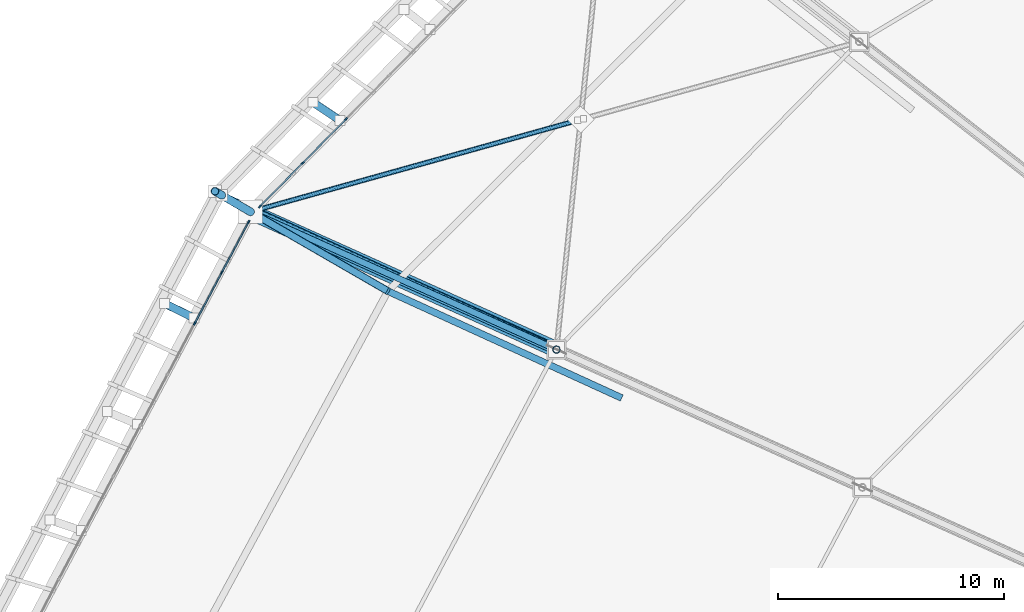
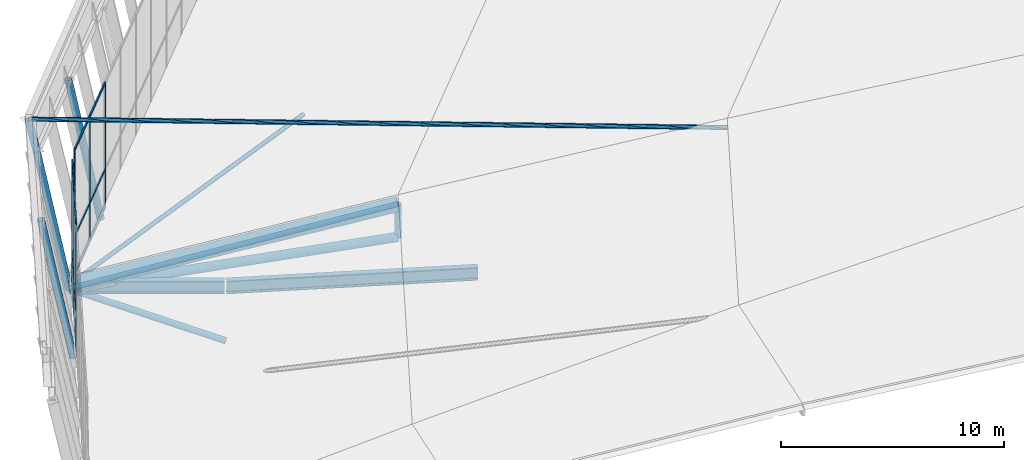
# One storey, part 28 of 115: 29 members, 2 beams, 2 elements without a shape of their own.
"""IFC4 building model written with IfcOpenShell, lengths in metres."""

from ifc_helpers import new_model, si_unit, direction, frame, origin, origin_2d, place, context, subcontext, project, spatial, rectangle, hollow_circle, i_section, extrude, material, material_profile, profile_set, type_object, element, aggregate, save


model = new_model("IFC4")

# Units and contexts
model_context = context("Model", 3, precision=1e-05, world=origin(), true_north=direction((0.0, 1.0)))
body_context = subcontext(model_context, "Body", "Model", "MODEL_VIEW")
ifc_project = project(units=[si_unit("LENGTHUNIT", "METRE"), si_unit("AREAUNIT", "SQUARE_METRE"), si_unit("VOLUMEUNIT", "CUBIC_METRE"), si_unit("PLANEANGLEUNIT", "RADIAN"), si_unit("MASSUNIT", "GRAM", prefix="KILO")], contexts=[model_context])

# Site, building, storey
site_placement = place(None, origin())
site = spatial("IfcSite", under=ifc_project, at=site_placement, CompositionType="ELEMENT")
building_placement = place(site_placement, origin())
building = spatial("IfcBuilding", under=site, at=building_placement, Name="Zlatoyarsky Gate Stadium", CompositionType="ELEMENT")
storey_placement = place(building_placement, frame((0.0, 0.0, 31.800048828125)))
storey = spatial("IfcBuildingStorey", under=building, at=storey_placement, Name="RF", CompositionType="ELEMENT", Elevation=31.800048828125)

# Curtain wall, members
ifc_material_1 = material(Name="Thermally broken anodised aluminium curtain wall", Category="aluminium")
curtain_wall_type = type_object("IfcCurtainWallType", Name="UNITISED SKYBOX RING GLAZING L05", PredefinedType="USERDEFINED", material=ifc_material_1)
curtain_wall_1_placement = place(storey_placement, origin())
curtain_wall_1 = element("IfcCurtainWall", 1, at=curtain_wall_1_placement, inside=storey, type_object=curtain_wall_type, Name="Curtain wall CW-RF-09", ObjectType="UNITISED GLAZING", PredefinedType="USERDEFINED")
ifc_material_2 = material(Name="Anodised aluminium 6063-T6", Category="aluminium")
ifc_material_profile_1 = material_profile(ifc_material_2, rectangle(XDim=0.06494140625, YDim=0.159912109375, at=origin_2d()), Name="ALU 65X160")
ifc_profile_set_1 = profile_set([ifc_material_profile_1], Name="Anodised aluminium 6063-T6")
member_type_1 = type_object("IfcMemberType", Name="ALUMINIUM MULLION 65X160", PredefinedType="MULLION", material=ifc_profile_set_1)
member_1_placement = place(storey_placement, frame((28.603515625, 123.119140625, 0.0), z_axis=(0.0, 0.0, 1.0), x_axis=(0.712766053473, -0.701401848456, 0.0)))
member_1 = element("IfcMember", 2, at=member_1_placement, type_object=member_type_1, Name="CW-UG5 mullion 7", PredefinedType="MULLION", context=body_context, shape_type="SweptSolid", body=[
    extrude(rectangle(XDim=0.06494140625, YDim=0.159912109375, at=origin_2d()), origin(), (0.0, 0.0, 1.0), 6.89990234375),
])
member_2_placement = place(storey_placement, frame((26.689453125, 121.174072265625, 0.0), z_axis=(0.0, 0.0, 1.0), x_axis=(0.712766053473, -0.701401848456, 0.0)))
member_2 = element("IfcMember", 3, at=member_2_placement, type_object=member_type_1, Name="CW-UG5 mullion 8", PredefinedType="MULLION", context=body_context, shape_type="SweptSolid", body=[
    extrude(rectangle(XDim=0.06494140625, YDim=0.159912109375, at=origin_2d()), origin(), (0.0, 0.0, 1.0), 6.89990234375),
])
member_3_placement = place(storey_placement, frame((24.798095703125, 119.251953125, 0.0), z_axis=(0.0, 0.0, 1.0), x_axis=(0.712766053473, -0.701401848456, 0.0)))
member_3 = element("IfcMember", 4, at=member_3_placement, type_object=member_type_1, Name="CW-UG5 mullion 9", PredefinedType="MULLION", context=body_context, shape_type="SweptSolid", body=[
    extrude(rectangle(XDim=0.06494140625, YDim=0.159912109375, at=origin_2d()), origin(), (0.0, 0.0, 1.0), 6.89990234375),
])

curtain_wall_2_placement = place(storey_placement, origin())
curtain_wall_2 = element("IfcCurtainWall", 5, at=curtain_wall_2_placement, inside=storey, type_object=curtain_wall_type, Name="Curtain wall CW-RF-10", ObjectType="UNITISED GLAZING", PredefinedType="USERDEFINED")
member_4_placement = place(storey_placement, frame((24.291748046875, 118.561767578125, 0.0), z_axis=(0.0, 0.0, 1.0), x_axis=(0.883130898599, -0.469126652345, 0.0)))
member_4 = element("IfcMember", 6, at=member_4_placement, type_object=member_type_1, Name="CW-UG5 mullion 1", PredefinedType="MULLION", context=body_context, shape_type="SweptSolid", body=[
    extrude(rectangle(XDim=0.06494140625, YDim=0.159912109375, at=origin_2d()), origin(), (0.0, 0.0, 1.0), 6.89990234375),
])
member_5_placement = place(storey_placement, frame((23.106689453125, 116.330810546875, 0.0), z_axis=(0.0, 0.0, 1.0), x_axis=(0.883130898599, -0.469126652345, 0.0)))
member_5 = element("IfcMember", 7, at=member_5_placement, type_object=member_type_1, Name="CW-UG5 mullion 2", PredefinedType="MULLION", context=body_context, shape_type="SweptSolid", body=[
    extrude(rectangle(XDim=0.06494140625, YDim=0.159912109375, at=origin_2d()), origin(), (0.0, 0.0, 1.0), 6.89990234375),
])
member_6_placement = place(storey_placement, frame((21.90625, 114.07080078125, 0.0), z_axis=(0.0, 0.0, 1.0), x_axis=(0.883130898599, -0.469126652345, 0.0)))
member_6 = element("IfcMember", 8, at=member_6_placement, type_object=member_type_1, Name="CW-UG5 mullion 3", PredefinedType="MULLION", context=body_context, shape_type="SweptSolid", body=[
    extrude(rectangle(XDim=0.06494140625, YDim=0.159912109375, at=origin_2d()), origin(), (0.0, 0.0, 1.0), 6.89990234375),
])

# Member
ifc_material_profile_2 = material_profile(ifc_material_2, rectangle(XDim=0.06494140625, YDim=0.139892578125, at=origin_2d()), Name="ALU 65X140")
ifc_profile_set_2 = profile_set([ifc_material_profile_2], Name="Anodised aluminium 6063-T6")
member_type_2 = type_object("IfcMemberType", Name="ALUMINIUM TRANSOM 65X140", PredefinedType="USERDEFINED", material=ifc_profile_set_2)
member_7_placement = place(storey_placement, frame((28.580810546875, 123.095947265625, 0.032470703125), z_axis=(-0.701401615361, -0.712766282851, 0.0), x_axis=(0.712766282851, -0.701401615361, 0.0)))
member_7 = element("IfcMember", 9, at=member_7_placement, type_object=member_type_2, Name="CW-UG5 transom 7.1", ObjectType="TRANSOM", PredefinedType="USERDEFINED", context=body_context, shape_type="SweptSolid", body=[
    extrude(rectangle(XDim=0.06494140625, YDim=0.139892578125, at=origin_2d()), origin(), (0.0, 0.0, 1.0), 2.663818359375),
])

member_8_placement = place(storey_placement, frame((28.580810546875, 123.095947265625, 2.14990234375), z_axis=(-0.701401615361, -0.712766282851, 0.0), x_axis=(0.712766282851, -0.701401615361, 0.0)))
member_8 = element("IfcMember", 10, at=member_8_placement, type_object=member_type_2, Name="CW-UG5 transom 7.2", ObjectType="TRANSOM", PredefinedType="USERDEFINED", context=body_context, shape_type="SweptSolid", body=[
    extrude(rectangle(XDim=0.06494140625, YDim=0.139892578125, at=origin_2d()), origin(), (0.0, 0.0, 1.0), 2.663818359375),
])

member_9_placement = place(storey_placement, frame((28.580810546875, 123.095947265625, 6.867431640625), z_axis=(-0.701401615361, -0.712766282851, 0.0), x_axis=(0.712766282851, -0.701401615361, 0.0)))
member_9 = element("IfcMember", 11, at=member_9_placement, type_object=member_type_2, Name="CW-UG5 transom 7.3", ObjectType="TRANSOM", PredefinedType="USERDEFINED", context=body_context, shape_type="SweptSolid", body=[
    extrude(rectangle(XDim=0.06494140625, YDim=0.139892578125, at=origin_2d()), origin(), (0.0, 0.0, 1.0), 2.663818359375),
])

member_10_placement = place(storey_placement, frame((26.666748046875, 121.15087890625, 0.032470703125), z_axis=(-0.701378106075, -0.712789416531, 0.0), x_axis=(0.712789416531, -0.701378106075, 0.0)))
member_10 = element("IfcMember", 12, at=member_10_placement, type_object=member_type_2, Name="CW-UG5 transom 8.1", ObjectType="TRANSOM", PredefinedType="USERDEFINED", context=body_context, shape_type="SweptSolid", body=[
    extrude(rectangle(XDim=0.06494140625, YDim=0.139892578125, at=origin_2d()), origin(), (0.0, 0.0, 1.0), 2.631591796875),
])

member_11_placement = place(storey_placement, frame((26.666748046875, 121.15087890625, 2.14990234375), z_axis=(-0.701378106075, -0.712789416531, 0.0), x_axis=(0.712789416531, -0.701378106075, 0.0)))
member_11 = element("IfcMember", 13, at=member_11_placement, type_object=member_type_2, Name="CW-UG5 transom 8.2", ObjectType="TRANSOM", PredefinedType="USERDEFINED", context=body_context, shape_type="SweptSolid", body=[
    extrude(rectangle(XDim=0.06494140625, YDim=0.139892578125, at=origin_2d()), origin(), (0.0, 0.0, 1.0), 2.631591796875),
])

member_12_placement = place(storey_placement, frame((26.666748046875, 121.15087890625, 6.867431640625), z_axis=(-0.701378106075, -0.712789416531, 0.0), x_axis=(0.712789416531, -0.701378106075, 0.0)))
member_12 = element("IfcMember", 14, at=member_12_placement, type_object=member_type_2, Name="CW-UG5 transom 8.3", ObjectType="TRANSOM", PredefinedType="USERDEFINED", context=body_context, shape_type="SweptSolid", body=[
    extrude(rectangle(XDim=0.06494140625, YDim=0.139892578125, at=origin_2d()), origin(), (0.0, 0.0, 1.0), 2.631591796875),
])

aggregate(curtain_wall_1, [member_1, member_2, member_3, member_7, member_8, member_9, member_10, member_11, member_12])

member_13_placement = place(storey_placement, frame((24.276611328125, 118.533203125, 0.032470703125), z_axis=(-0.469135887796, -0.883125992587, 0.0), x_axis=(0.883125992587, -0.469135887796, 0.0)))
member_13 = element("IfcMember", 15, at=member_13_placement, type_object=member_type_2, Name="CW-UG5 transom 1.1", ObjectType="TRANSOM", PredefinedType="USERDEFINED", context=body_context, shape_type="SweptSolid", body=[
    extrude(rectangle(XDim=0.06494140625, YDim=0.139892578125, at=origin_2d()), origin(), (0.0, 0.0, 1.0), 2.46142578125),
])

member_14_placement = place(storey_placement, frame((24.276611328125, 118.533203125, 2.14990234375), z_axis=(-0.469135887796, -0.883125992587, 0.0), x_axis=(0.883125992587, -0.469135887796, 0.0)))
member_14 = element("IfcMember", 16, at=member_14_placement, type_object=member_type_2, Name="CW-UG5 transom 1.2", ObjectType="TRANSOM", PredefinedType="USERDEFINED", context=body_context, shape_type="SweptSolid", body=[
    extrude(rectangle(XDim=0.06494140625, YDim=0.139892578125, at=origin_2d()), origin(), (0.0, 0.0, 1.0), 2.46142578125),
])

member_15_placement = place(storey_placement, frame((24.276611328125, 118.533203125, 6.867431640625), z_axis=(-0.469135887796, -0.883125992587, 0.0), x_axis=(0.883125992587, -0.469135887796, 0.0)))
member_15 = element("IfcMember", 17, at=member_15_placement, type_object=member_type_2, Name="CW-UG5 transom 1.3", ObjectType="TRANSOM", PredefinedType="USERDEFINED", context=body_context, shape_type="SweptSolid", body=[
    extrude(rectangle(XDim=0.06494140625, YDim=0.139892578125, at=origin_2d()), origin(), (0.0, 0.0, 1.0), 2.46142578125),
])

member_16_placement = place(storey_placement, frame((23.09130859375, 116.302001953125, 0.032470703125), z_axis=(-0.469124208683, -0.883132196688, 0.0), x_axis=(0.883132196688, -0.469124208683, 0.0)))
member_16 = element("IfcMember", 18, at=member_16_placement, type_object=member_type_2, Name="CW-UG5 transom 2.1", ObjectType="TRANSOM", PredefinedType="USERDEFINED", context=body_context, shape_type="SweptSolid", body=[
    extrude(rectangle(XDim=0.06494140625, YDim=0.139892578125, at=origin_2d()), origin(), (0.0, 0.0, 1.0), 2.493896484375),
])

member_17_placement = place(storey_placement, frame((23.09130859375, 116.302001953125, 2.14990234375), z_axis=(-0.469124208683, -0.883132196688, 0.0), x_axis=(0.883132196688, -0.469124208683, 0.0)))
member_17 = element("IfcMember", 19, at=member_17_placement, type_object=member_type_2, Name="CW-UG5 transom 2.2", ObjectType="TRANSOM", PredefinedType="USERDEFINED", context=body_context, shape_type="SweptSolid", body=[
    extrude(rectangle(XDim=0.06494140625, YDim=0.139892578125, at=origin_2d()), origin(), (0.0, 0.0, 1.0), 2.493896484375),
])

member_18_placement = place(storey_placement, frame((23.09130859375, 116.302001953125, 6.867431640625), z_axis=(-0.469124208683, -0.883132196688, 0.0), x_axis=(0.883132196688, -0.469124208683, 0.0)))
member_18 = element("IfcMember", 20, at=member_18_placement, type_object=member_type_2, Name="CW-UG5 transom 2.3", ObjectType="TRANSOM", PredefinedType="USERDEFINED", context=body_context, shape_type="SweptSolid", body=[
    extrude(rectangle(XDim=0.06494140625, YDim=0.139892578125, at=origin_2d()), origin(), (0.0, 0.0, 1.0), 2.493896484375),
])

aggregate(curtain_wall_2, [member_4, member_5, member_6, member_13, member_14, member_15, member_16, member_17, member_18])

# Members
ifc_material_3 = material(Name="Steel S355", Category="steel")
ifc_material_profile_3 = material_profile(ifc_material_3, hollow_circle(Radius=0.228515625, WallThickness=0.02490234375, at=origin_2d()), Name="CHS 457X25")
ifc_profile_set_3 = profile_set([ifc_material_profile_3], Name="Steel S355")
member_type_3 = type_object("IfcMemberType", Name="STEEL ARCH BOTTOM CHORD CHS 457X25", PredefinedType="CHORD", material=ifc_profile_set_3)
member_19_placement = place(storey_placement, frame((24.37353515625, 119.013916015625, -0.449951171875), z_axis=(0.905178236441, -0.407667849919, 0.120246764678), x_axis=(0.410647494478, 0.911794184714, 0.0)))
element("IfcMember", 21, at=member_19_placement, inside=storey, type_object=member_type_3, Name="Radial truss R11 bottom chord 1", PredefinedType="CHORD", context=body_context, shape_type="SweptSolid", body=[
    extrude(hollow_circle(Radius=0.228515625, WallThickness=0.02490234375, at=origin_2d()), origin(), (0.0, 0.0, 1.0), 14.967529296875),
])
ifc_material_profile_4 = material_profile(ifc_material_3, hollow_circle(Radius=0.35546875, WallThickness=0.031982421875, at=origin_2d()), Name="CHS 711X32")
ifc_profile_set_4 = profile_set([ifc_material_profile_4], Name="Steel S355")
member_type_4 = type_object("IfcMemberType", Name="STEEL ARCH TOP CHORD CHS 711X32", PredefinedType="CHORD", material=ifc_profile_set_4)
member_20_placement = place(storey_placement, frame((24.37353515625, 119.013916015625, -0.25), z_axis=(0.888824010975, -0.400302348115, 0.223046873118), x_axis=(0.410647494478, 0.911794184714, 0.0)))
element("IfcMember", 22, at=member_20_placement, inside=storey, type_object=member_type_4, Name="Radial truss R11 top chord 1", PredefinedType="CHORD", context=body_context, shape_type="SweptSolid", body=[
    extrude(hollow_circle(Radius=0.35546875, WallThickness=0.031982421875, at=origin_2d()), origin(), (0.0, 0.0, 1.0), 15.242919921875),
])
ifc_material_profile_5 = material_profile(ifc_material_3, hollow_circle(Radius=0.109619140625, WallThickness=0.012451171875, at=origin_2d()), Name="CHS 219.1X12.5")
ifc_profile_set_5 = profile_set([ifc_material_profile_5], Name="Steel S355")
member_type_5 = type_object("IfcMemberType", Name="STEEL CANOPY WIND BRACE CHS 219.1X12.5", PredefinedType="BRACE", material=ifc_profile_set_5)
member_21_placement = place(storey_placement, frame((24.37353515625, 119.013916015625, -0.25), z_axis=(0.956098859598, 0.267085607879, 0.120582953768), x_axis=(-0.269048788447, 0.963126549024, 0.0)))
element("IfcMember", 23, at=member_21_placement, inside=storey, type_object=member_type_5, Name="Roof wind X-brace split half-diagonal 09A", PredefinedType="BRACE", context=body_context, shape_type="SweptSolid", body=[
    extrude(hollow_circle(Radius=0.109619140625, WallThickness=0.012451171875, at=origin_2d()), origin(), (0.0, 0.0, 1.0), 15.164794921875),
])
member_22_placement = place(storey_placement, frame((22.80029296875, 119.922119140625, 8.849853515625), z_axis=(0.906447764007, -0.414552111978, -0.080616360509), x_axis=(0.415905800363, 0.909407700223, 0.0)))
element("IfcMember", 24, at=member_22_placement, inside=storey, type_object=member_type_5, Name="Crown fascia tie brace 10", PredefinedType="BRACE", context=body_context, shape_type="SweptSolid", body=[
    extrude(hollow_circle(Radius=0.109619140625, WallThickness=0.012451171875, at=origin_2d()), origin(), (0.0, 0.0, 1.0), 31.62890625),
])
ifc_material_profile_6 = material_profile(ifc_material_3, hollow_circle(Radius=0.177734375, WallThickness=0.02001953125, at=origin_2d()), Name="CHS 355.6X20")
ifc_profile_set_6 = profile_set([ifc_material_profile_6], Name="Steel S355")
member_type_6 = type_object("IfcMemberType", Name="STEEL LEANING RIB RING STRUT CHS 355.6X20", PredefinedType="STRUT", material=ifc_profile_set_6)
member_23_placement = place(storey_placement, frame((28.34765625, 123.0537109375, -0.449951171875), z_axis=(-0.156703430904, 0.104647731087, 0.982085987641), x_axis=(-0.555356854157, -0.831612147904, 0.0)))
element("IfcMember", 25, at=member_23_placement, inside=storey, type_object=member_type_6, Name="Outward-leaning bowl louvre fin rib RF 09-3", PredefinedType="STRUT", context=body_context, shape_type="SweptSolid", body=[
    extrude(hollow_circle(Radius=0.177734375, WallThickness=0.02001953125, at=origin_2d()), origin(), (0.0, 0.0, 1.0), 7.738525390625),
])
member_24_placement = place(storey_placement, frame((24.37353515625, 119.013916015625, -0.449951171875), z_axis=(-0.164206124539, 0.094782828321, 0.981861784631), x_axis=(-0.499914467095, -0.866074780599, 0.0)))
element("IfcMember", 26, at=member_24_placement, inside=storey, type_object=member_type_6, Name="Outward-leaning crown fascia lower post 10", PredefinedType="STRUT", context=body_context, shape_type="SweptSolid", body=[
    extrude(hollow_circle(Radius=0.177734375, WallThickness=0.02001953125, at=origin_2d()), origin(), (0.0, 0.0, 1.0), 7.740234375),
])
member_25_placement = place(storey_placement, frame((23.1025390625, 119.74755859375, 7.14990234375), z_axis=(-0.174163789364, 0.100587325845, 0.979565803994), x_axis=(-0.500126092966, -0.865952591736, 0.0)))
element("IfcMember", 27, at=member_25_placement, inside=storey, type_object=member_type_6, Name="Outward-leaning crown fascia upper post 10", PredefinedType="STRUT", context=body_context, shape_type="SweptSolid", body=[
    extrude(hollow_circle(Radius=0.177734375, WallThickness=0.02001953125, at=origin_2d()), origin(), (0.0, 0.0, 1.0), 1.7353515625),
])
member_26_placement = place(storey_placement, frame((21.87548828125, 114.30908203125, -0.449951171875), z_axis=(-0.169006721512, 0.083383379682, 0.982081432508), x_axis=(-0.442452958982, -0.89679171444, 0.0)))
element("IfcMember", 28, at=member_26_placement, inside=storey, type_object=member_type_6, Name="Outward-leaning bowl louvre fin rib RF 10-1", PredefinedType="STRUT", context=body_context, shape_type="SweptSolid", body=[
    extrude(hollow_circle(Radius=0.177734375, WallThickness=0.02001953125, at=origin_2d()), origin(), (0.0, 0.0, 1.0), 7.738525390625),
])

# Beams
ifc_material_profile_7 = material_profile(ifc_material_3, i_section(OverallWidth=0.300048828125, OverallDepth=0.699951171875, WebThickness=0.01708984375, FlangeThickness=0.031982421875, FilletRadius=0.027099609375, at=origin_2d()), Name="HEB 700")
ifc_profile_set_7 = profile_set([ifc_material_profile_7], Name="Steel S355")
beam_type = type_object("IfcBeamType", Name="STEEL ROOF RING GIRDER HEB 700", PredefinedType="BEAM", material=ifc_profile_set_7)
beam_1_placement = place(storey_placement, frame((40.8154296875, 110.7666015625, -0.300048828125), z_axis=(-0.909494931213, 0.415715010671, 0.0), x_axis=(-0.415715010671, -0.909494931213, 0.0)))
element("IfcBeam", 29, at=beam_1_placement, inside=storey, type_object=beam_type, Name="RF roof tie girder BM-RF-RBC-10", PredefinedType="BEAM", context=body_context, shape_type="SweptSolid", body=[
    extrude(i_section(OverallWidth=0.300048828125, OverallDepth=0.699951171875, WebThickness=0.01708984375, FlangeThickness=0.031982421875, FilletRadius=0.027099609375, at=origin_2d()), origin(), (0.0, 0.0, 1.0), 11.34619140625),
])
beam_2_placement = place(storey_placement, frame((30.425048828125, 115.52001953125, -0.300048828125), z_axis=(-0.866022092401, 0.50000573544, 0.0), x_axis=(-0.50000573544, -0.866022092401, 0.0)))
element("IfcBeam", 30, at=beam_2_placement, inside=storey, type_object=beam_type, Name="RF roof tie girder BM-RF-COUT-10", PredefinedType="BEAM", context=body_context, shape_type="SweptSolid", body=[
    extrude(i_section(OverallWidth=0.300048828125, OverallDepth=0.699951171875, WebThickness=0.01708984375, FlangeThickness=0.031982421875, FilletRadius=0.027099609375, at=origin_2d()), origin(), (0.0, 0.0, 1.0), 6.98779296875),
])

# Members
ifc_material_profile_8 = material_profile(ifc_material_3, hollow_circle(Radius=0.136474609375, WallThickness=0.01611328125, at=origin_2d()), Name="CHS 273X16")
ifc_profile_set_8 = profile_set([ifc_material_profile_8], Name="Steel S355")
member_type_7 = type_object("IfcMemberType", Name="STEEL ROOF TRUSS DIAGONAL CHS 273X16", PredefinedType="BRACE", material=ifc_profile_set_8)
member_27_placement = place(storey_placement, frame((24.37353515625, 119.013916015625, -0.449951171875), z_axis=(0.886159022345, -0.399102109156, 0.235456351758), x_axis=(0.410647494478, 0.911794184714, 0.0)))
element("IfcMember", 31, at=member_27_placement, inside=storey, type_object=member_type_7, Name="Radial truss R11 web diagonal 1", PredefinedType="BRACE", context=body_context, shape_type="SweptSolid", body=[
    extrude(hollow_circle(Radius=0.136474609375, WallThickness=0.01611328125, at=origin_2d()), origin(), (0.0, 0.0, 1.0), 15.288818359375),
])
ifc_material_profile_9 = material_profile(ifc_material_3, hollow_circle(Radius=0.161865234375, WallThickness=0.01611328125, at=origin_2d()), Name="CHS 323.9X16")
ifc_profile_set_9 = profile_set([ifc_material_profile_9], Name="Steel S355")
member_type_8 = type_object("IfcMemberType", Name="STEEL TRUSS WEB STRUT CHS 323.9X16", PredefinedType="STRUT", material=ifc_profile_set_9)
member_28_placement = place(storey_placement, frame((30.459716796875, 115.5, -3.300048828125), z_axis=(-0.802536248055, 0.463352088662, 0.37581965421), x_axis=(-0.500006126462, -0.866021866641, 0.0)))
element("IfcMember", 32, at=member_28_placement, inside=storey, type_object=member_type_8, Name="Arch heel prop 10", PredefinedType="STRUT", context=body_context, shape_type="SweptSolid", body=[
    extrude(hollow_circle(Radius=0.161865234375, WallThickness=0.01611328125, at=origin_2d()), origin(), (0.0, 0.0, 1.0), 7.583740234375),
])
member_29_placement = place(storey_placement, frame((37.921875, 112.912109375, 1.349853515625), z_axis=(0.0, 0.0, 1.0), x_axis=(1.0, 0.0, 0.0)))
element("IfcMember", 33, at=member_29_placement, inside=storey, type_object=member_type_8, Name="Radial truss R11 web strut 1", PredefinedType="STRUT", context=body_context, shape_type="SweptSolid", body=[
    extrude(hollow_circle(Radius=0.161865234375, WallThickness=0.01611328125, at=origin_2d()), origin(), (0.0, 0.0, 1.0), 1.800048828125),
])

save(model, "model.ifc")
